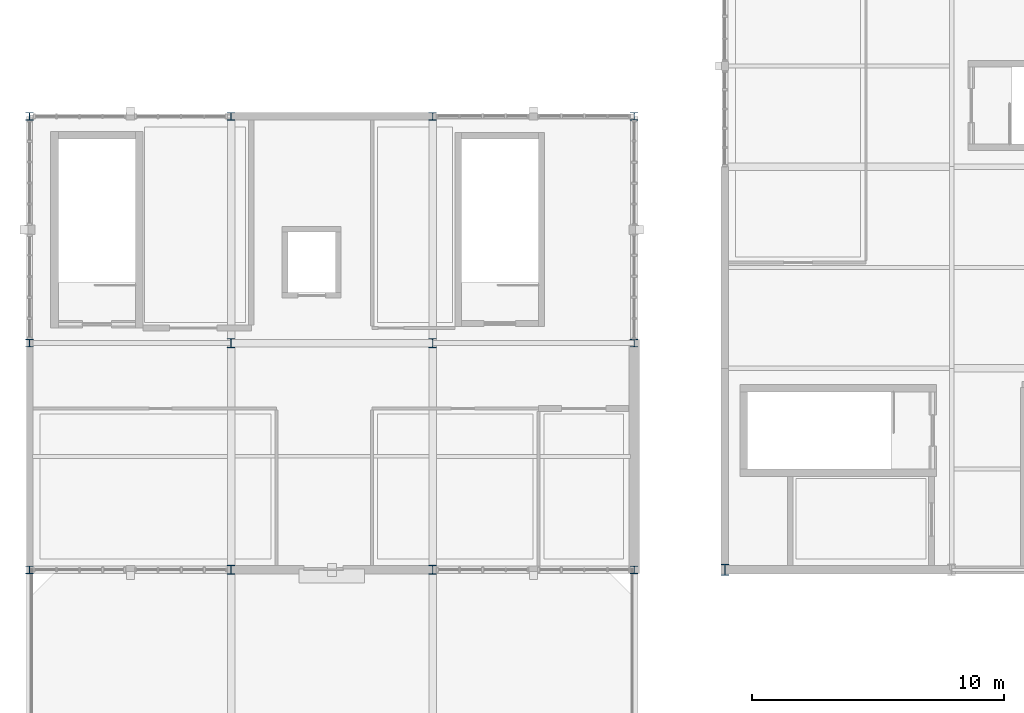
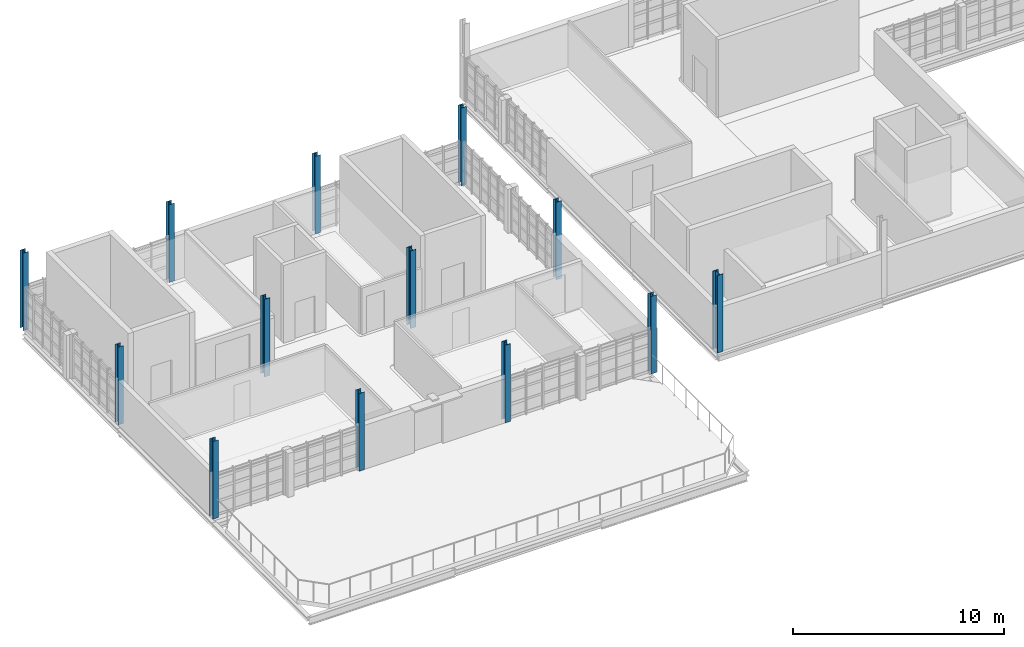
# One storey, part 1 of 44: 13 columns.
"""IFC4 building model written with IfcOpenShell, lengths in metres."""

from ifc_helpers import new_model, si_unit, direction, frame, origin, origin_2d, place, context, subcontext, project, spatial, i_section, extrude, material, material_profile, profile_set, type_object, element, save


model = new_model("IFC4")

# Units and contexts
model_context = context("Model", 3, precision=1e-05, world=origin(), true_north=direction((0.0, 1.0)))
body_context = subcontext(model_context, "Body", "Model", "MODEL_VIEW")
ifc_project = project(units=[si_unit("LENGTHUNIT", "METRE"), si_unit("AREAUNIT", "SQUARE_METRE"), si_unit("VOLUMEUNIT", "CUBIC_METRE"), si_unit("PLANEANGLEUNIT", "RADIAN"), si_unit("MASSUNIT", "GRAM", prefix="KILO")], contexts=[model_context])

# Site, building, storey
site_placement = place(None, origin())
site = spatial("IfcSite", under=ifc_project, at=site_placement, CompositionType="ELEMENT")
building_placement = place(site_placement, origin())
building = spatial("IfcBuilding", under=site, at=building_placement, Name="Serraforn Aerial Cableway Station", CompositionType="ELEMENT")
storey_placement = place(building_placement, frame((0.0, 0.0, 13.800048828125)))
storey = spatial("IfcBuildingStorey", under=building, at=storey_placement, Name="L03", CompositionType="ELEMENT", Elevation=13.800048828125)

# Columns
ifc_material_1 = material(Name="Steel S355JR", Category="steel")
ifc_material_profile_1 = material_profile(ifc_material_1, i_section(OverallWidth=0.300048828125, OverallDepth=0.300048828125, WebThickness=0.008544921875, FlangeThickness=0.013916015625, FilletRadius=0.027099609375, at=origin_2d()), Name="HEA 300")
ifc_profile_set_1 = profile_set([ifc_material_profile_1], Name="Steel S355JR")
column_type_1 = type_object("IfcColumnType", Name="COL-ST-HEA300", PredefinedType="COLUMN", material=ifc_profile_set_1)
for number, where, z_axis, x_axis, name in (
    (1, (0.0, 18.0, 0.0), (0.0, 0.0, 1.0), (1.0, 0.0, 0.0), "Column W L03 1-C"),
    (2, (0.0, 27.0, 0.0), (0.0, 0.0, 1.0), (1.0, 0.0, 0.0), "Column W L03 1-D"),
    (3, (0.0, 36.0, 0.0), (0.0, 0.0, 1.0), (1.0, 0.0, 0.0), "Column W L03 1-E"),
    (4, (8.0, 36.0, 0.0), (0.0, 0.0, 1.0), (1.0, 0.0, 0.0), "Column W L03 2-E"),
    (5, (16.0, 36.0, 0.0), (0.0, 0.0, 1.0), (1.0, 0.0, 0.0), "Column W L03 3-E"),
    (6, (24.0, 18.0, 0.0), (0.0, 0.0, 1.0), (1.0, 0.0, 0.0), "Column W L03 4-C"),
    (7, (24.0, 27.0, 0.0), (0.0, 0.0, 1.0), (1.0, 0.0, 0.0), "Column W L03 4-D"),
    (8, (24.0, 36.0, 0.0), (0.0, 0.0, 1.0), (1.0, 0.0, 0.0), "Column W L03 4-E"),
):
    element("IfcColumn", number, at=place(storey_placement, frame(where, z_axis=z_axis, x_axis=x_axis)), inside=storey, type_object=column_type_1, Name=name, PredefinedType="COLUMN", context=body_context, shape_type="SweptSolid", body=[
        extrude(i_section(OverallWidth=0.300048828125, OverallDepth=0.300048828125, WebThickness=0.008544921875, FlangeThickness=0.013916015625, FilletRadius=0.027099609375, at=origin_2d()), origin(), (0.0, 0.0, 1.0), 4.5),
    ])
ifc_material_profile_2 = material_profile(ifc_material_1, i_section(OverallWidth=0.300048828125, OverallDepth=0.360107421875, WebThickness=0.010009765625, FlangeThickness=0.017578125, FilletRadius=0.027099609375, at=origin_2d()), Name="HEA 360")
ifc_profile_set_2 = profile_set([ifc_material_profile_2], Name="Steel S355JR")
column_type_2 = type_object("IfcColumnType", Name="COL-ST-HEA360", PredefinedType="COLUMN", material=ifc_profile_set_2)
for number, where, z_axis, x_axis, name in (
    (9, (8.0, 18.0, 0.0), (0.0, 0.0, 1.0), (1.0, 0.0, 0.0), "Column W L03 2-C"),
    (10, (8.0, 27.0, 0.0), (0.0, 0.0, 1.0), (1.0, 0.0, 0.0), "Column W L03 2-D"),
    (11, (16.0, 18.0, 0.0), (0.0, 0.0, 1.0), (1.0, 0.0, 0.0), "Column W L03 3-C"),
    (12, (16.0, 27.0, 0.0), (0.0, 0.0, 1.0), (1.0, 0.0, 0.0), "Column W L03 3-D"),
):
    element("IfcColumn", number, at=place(storey_placement, frame(where, z_axis=z_axis, x_axis=x_axis)), inside=storey, type_object=column_type_2, Name=name, PredefinedType="COLUMN", context=body_context, shape_type="SweptSolid", body=[
        extrude(i_section(OverallWidth=0.300048828125, OverallDepth=0.360107421875, WebThickness=0.010009765625, FlangeThickness=0.017578125, FilletRadius=0.027099609375, at=origin_2d()), origin(), (0.0, 0.0, 1.0), 4.5),
    ])
ifc_material_2 = material(Name="Steel S355J2", Category="steel")
ifc_material_profile_3 = material_profile(ifc_material_2, i_section(OverallWidth=0.300048828125, OverallDepth=0.449951171875, WebThickness=0.013916015625, FlangeThickness=0.02587890625, FilletRadius=0.027099609375, at=origin_2d()), Name="HEB 450")
ifc_profile_set_3 = profile_set([ifc_material_profile_3], Name="Steel S355J2")
column_type_3 = type_object("IfcColumnType", Name="COL-ST-HEB450", PredefinedType="COLUMN", material=ifc_profile_set_3)
column_placement = place(storey_placement, frame((27.60009765625, 18.0, 0.0), z_axis=(0.0, 0.0, 1.0), x_axis=(1.0, 0.0, 0.0)))
element("IfcColumn", 13, at=column_placement, inside=storey, type_object=column_type_3, Name="Column CV L03 5-C", PredefinedType="COLUMN", context=body_context, shape_type="SweptSolid", body=[
    extrude(i_section(OverallWidth=0.300048828125, OverallDepth=0.449951171875, WebThickness=0.013916015625, FlangeThickness=0.02587890625, FilletRadius=0.027099609375, at=origin_2d()), origin(), (0.0, 0.0, 1.0), 4.5),
])

save(model, "model.ifc")
